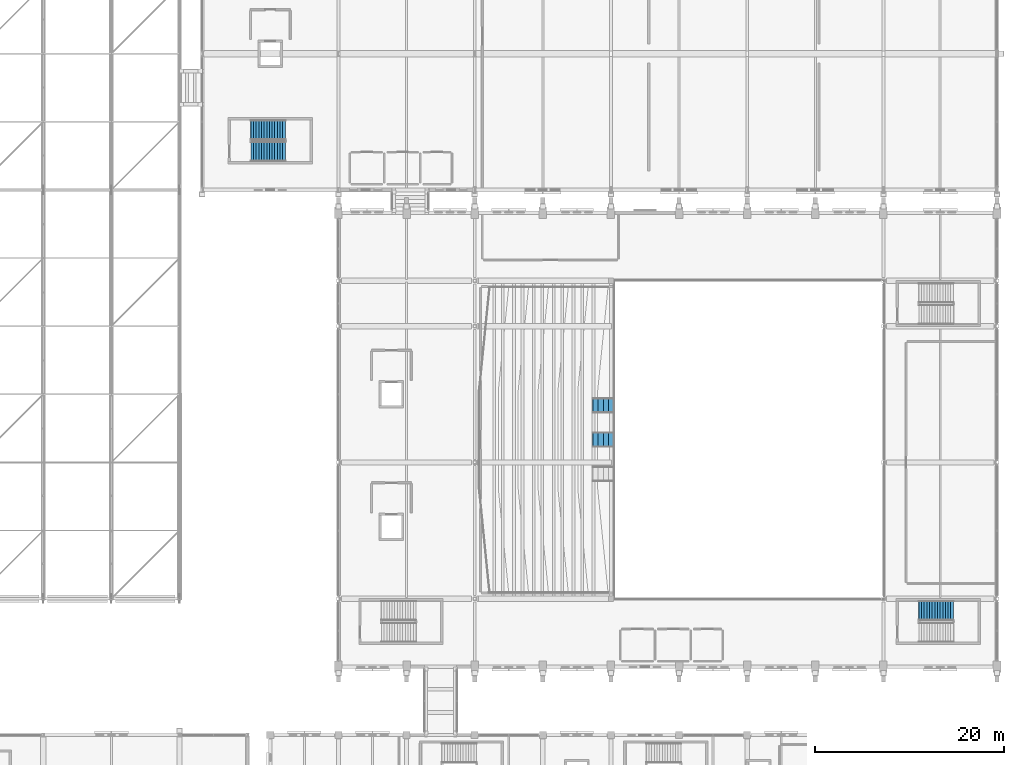
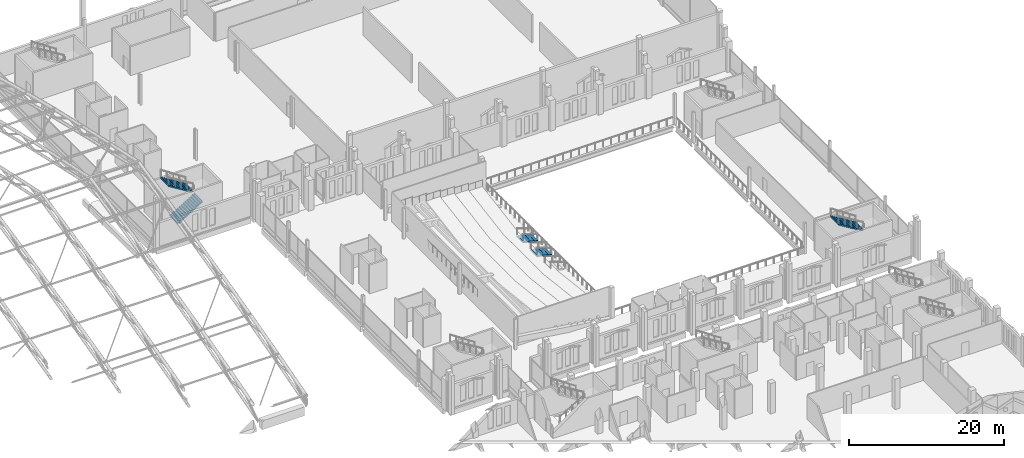
# One storey, part 169 of 193: 5 stair flights, 4 elements without a shape of their own.
"""IFC4 building model written with IfcOpenShell, lengths in metres."""

from ifc_helpers import new_model, si_unit, direction, frame, origin, place, context, subcontext, project, spatial, triangles, material, type_object, element, aggregate, save


model = new_model("IFC4")

# Units and contexts
model_context = context("Model", 3, precision=1e-05, world=origin(), true_north=direction((0.0, 1.0)))
body_context = subcontext(model_context, "Body", "Model", "MODEL_VIEW")
ifc_project = project(units=[si_unit("LENGTHUNIT", "METRE"), si_unit("AREAUNIT", "SQUARE_METRE"), si_unit("VOLUMEUNIT", "CUBIC_METRE"), si_unit("PLANEANGLEUNIT", "RADIAN"), si_unit("MASSUNIT", "GRAM", prefix="KILO")], contexts=[model_context])

# Site, building, storey
site_placement = place(None, origin())
site = spatial("IfcSite", under=ifc_project, at=site_placement, CompositionType="ELEMENT")
building_placement = place(site_placement, origin())
building = spatial("IfcBuilding", under=site, at=building_placement, Name="Cendralis Lancet Convention Centre", CompositionType="ELEMENT")
storey_placement = place(building_placement, frame((0.0, 0.0, 10.199951171875)))
storey = spatial("IfcBuildingStorey", under=building, at=storey_placement, Name="L02", CompositionType="ELEMENT", Elevation=10.199951171875)

# Stair, stair flights
ifc_material = material(Name="Concrete G35 (C35/45)", Category="concrete")
stair_type_1 = type_object("IfcStairType", Name="ARC-ST-CORE", PredefinedType="HALF_TURN_STAIR", material=ifc_material)
stair_1_placement = place(storey_placement, origin())
stair_1 = element("IfcStair", 1, at=stair_1_placement, inside=storey, type_object=stair_type_1, Name="L02 Protected Exit Stair ST-07", PredefinedType="HALF_TURN_STAIR")
stair_flight_type_1 = type_object("IfcStairFlightType", Name="ARC-SF-CORE", PredefinedType="STRAIGHT", material=ifc_material)
stair_flight_1_placement = place(storey_placement, frame((129.949951171875, 97.64990234375, 0.0), z_axis=(0.0, 0.0, 1.0), x_axis=(1.0, 0.0, 0.0)))
stair_flight_1 = element("IfcStairFlight", 2, at=stair_flight_1_placement, type_object=stair_flight_type_1, Name="ST-07 flight 1", NumberOfRisers=14, NumberOfTreads=13, PredefinedType="STRAIGHT", RiserHeight=0.171428571, TreadLength=0.28, context=body_context, shape_type="Tessellation", body=[
    triangles([(0.0, 0.0, 0.085714), (0.0, 1.050049, 0.0), (0.0, -1.050049, 0.0), (0.0, -1.050049, 0.171429), (0.0, 1.050049, 0.171429), (0.14, 0.0, 0.171429), (0.28, -1.050049, 0.171429), (0.28, 1.050049, 0.171429), (0.14, 0.0, 0.0), (0.28, -1.050049, 0.0), (0.28, 1.050049, 0.0), (0.28, 0.0, 0.257143), (0.28, -1.050049, 0.342857), (0.28, 1.050049, 0.342857), (0.283543, 0.0, 0.342857), (0.287085, -1.050049, 0.342857), (0.287085, 1.050049, 0.342857), (0.283543, 0.0, 0.0), (0.287085, -1.050049, 0.0), (0.287085, 1.050049, 0.0), (0.423543, 0.0, 0.342857), (0.56, -1.050049, 0.342857), (0.56, 1.050049, 0.342857), (0.423543, 0.0, 0.083545), (0.56, -1.050049, 0.167091), (0.56, 1.050049, 0.167091), (0.56, 0.0, 0.428572), (0.56, -1.050049, 0.514286), (0.56, 1.050049, 0.514286), (0.7, 0.0, 0.514286), (0.84, -1.050049, 0.514286), (0.84, 1.050049, 0.514286), (0.7, 0.0, 0.252806), (0.84, -1.050049, 0.33852), (0.84, 1.050049, 0.33852), (0.84, 0.0, 0.6), (0.84, -1.050049, 0.685714), (0.84, 1.050049, 0.685714), (0.98, 0.0, 0.685714), (1.12, -1.050049, 0.685714), (1.12, 1.050049, 0.685714), (0.98, 0.0, 0.424234), (1.12, -1.050049, 0.509948), (1.12, 1.050049, 0.509948), (1.12, 0.0, 0.771429), (1.12, -1.050049, 0.857143), (1.12, 1.050049, 0.857143), (1.26, 0.0, 0.857143), (1.4, -1.050049, 0.857143), (1.4, 1.050049, 0.857143), (1.26, 0.0, 0.595662), (1.4, -1.050049, 0.681377), (1.4, 1.050049, 0.681377), (1.4, 0.0, 0.942857), (1.4, -1.050049, 1.028571), (1.4, 1.050049, 1.028571), (1.54, 0.0, 1.028571), (1.68, -1.050049, 1.028571), (1.68, 1.050049, 1.028571), (1.54, 0.0, 0.767091), (1.68, -1.050049, 0.852805), (1.68, 1.050049, 0.852805), (1.68, 0.0, 1.114286), (1.68, -1.050049, 1.2), (1.68, 1.050049, 1.2), (1.82, 0.0, 1.2), (1.96, -1.050049, 1.2), (1.96, 1.050049, 1.2), (1.82, 0.0, 0.938519), (1.96, -1.050049, 1.024234), (1.96, 1.050049, 1.024234), (1.96, 0.0, 1.285715), (1.96, -1.050049, 1.371429), (1.96, 1.050049, 1.371429), (2.1, 0.0, 1.371429), (2.24, -1.050049, 1.371429), (2.24, 1.050049, 1.371429), (2.1, 0.0, 1.109948), (2.24, -1.050049, 1.195662), (2.24, 1.050049, 1.195662), (2.24, 0.0, 1.457143), (2.24, -1.050049, 1.542857), (2.24, 1.050049, 1.542857), (2.38, 0.0, 1.542857), (2.52, -1.050049, 1.542857), (2.52, 1.050049, 1.542857), (2.38, 0.0, 1.281376), (2.52, -1.050049, 1.367091), (2.52, 1.050049, 1.367091), (2.52, 0.0, 1.628572), (2.52, -1.050049, 1.714286), (2.52, 1.050049, 1.714286), (2.66, 0.0, 1.714286), (2.8, -1.050049, 1.714286), (2.8, 1.050049, 1.714286), (2.66, 0.0, 1.452806), (2.8, -1.050049, 1.53852), (2.8, 1.050049, 1.53852), (2.8, 0.0, 1.8), (2.8, -1.050049, 1.885714), (2.8, 1.050049, 1.885714), (2.94, 0.0, 1.885714), (3.08, -1.050049, 1.885714), (3.08, 1.050049, 1.885714), (2.94, 0.0, 1.624234), (3.08, -1.050049, 1.709948), (3.08, 1.050049, 1.709948), (3.08, 0.0, 1.971429), (3.08, -1.050049, 2.057143), (3.08, 1.050049, 2.057143), (3.22, 0.0, 2.057143), (3.36, -1.050049, 2.057143), (3.36, 1.050049, 2.057143), (3.22, 0.0, 1.795663), (3.36, -1.050049, 1.881377), (3.36, 1.050049, 1.881377), (3.36, 0.0, 2.142857), (3.36, -1.050049, 2.228571), (3.36, 1.050049, 2.228571), (3.5, 0.0, 2.228571), (3.64, -1.050049, 2.228571), (3.64, 1.050049, 2.228571), (3.5, 0.0, 1.967091), (3.64, -1.050049, 2.052805), (3.64, 1.050049, 2.052805), (3.64, 0.0, 2.314285), (3.64, -1.050049, 2.4), (3.64, 1.050049, 2.4), (3.66, 0.0, 2.4), (3.68, -1.050049, 2.4), (3.68, 1.050049, 2.4), (3.66, 0.0, 2.052805), (3.68, -1.050049, 2.052805), (3.68, 1.050049, 2.052805), (3.68, 0.0, 2.226403)], [[2, 3, 1], [3, 4, 1], [4, 5, 1], [5, 2, 1], [4, 7, 6], [7, 8, 6], [8, 5, 6], [5, 4, 6], [10, 3, 9], [3, 2, 9], [2, 11, 9], [11, 10, 9], [3, 10, 7], [3, 7, 4], [2, 8, 11], [2, 5, 8], [8, 7, 12], [7, 13, 12], [13, 14, 12], [14, 8, 12], [13, 16, 15], [16, 17, 15], [17, 14, 15], [14, 13, 15], [19, 10, 18], [10, 11, 18], [11, 20, 18], [20, 19, 18], [10, 19, 16], [10, 16, 7], [7, 16, 13], [11, 17, 20], [11, 8, 17], [8, 14, 17], [16, 22, 21], [22, 23, 21], [23, 17, 21], [17, 16, 21], [25, 19, 24], [19, 20, 24], [20, 26, 24], [26, 25, 24], [19, 25, 22], [19, 22, 16], [20, 23, 26], [20, 17, 23], [23, 22, 27], [22, 28, 27], [28, 29, 27], [29, 23, 27], [28, 31, 30], [31, 32, 30], [32, 29, 30], [29, 28, 30], [34, 25, 33], [25, 26, 33], [26, 35, 33], [35, 34, 33], [25, 34, 31], [25, 31, 22], [22, 31, 28], [26, 32, 35], [26, 23, 32], [23, 29, 32], [32, 31, 36], [31, 37, 36], [37, 38, 36], [38, 32, 36], [37, 40, 39], [40, 41, 39], [41, 38, 39], [38, 37, 39], [43, 34, 42], [34, 35, 42], [35, 44, 42], [44, 43, 42], [34, 43, 40], [34, 40, 31], [31, 40, 37], [35, 41, 44], [35, 32, 41], [32, 38, 41], [41, 40, 45], [40, 46, 45], [46, 47, 45], [47, 41, 45], [46, 49, 48], [49, 50, 48], [50, 47, 48], [47, 46, 48], [52, 43, 51], [43, 44, 51], [44, 53, 51], [53, 52, 51], [43, 52, 49], [43, 49, 40], [40, 49, 46], [44, 50, 53], [44, 41, 50], [41, 47, 50], [50, 49, 54], [49, 55, 54], [55, 56, 54], [56, 50, 54], [55, 58, 57], [58, 59, 57], [59, 56, 57], [56, 55, 57], [61, 52, 60], [52, 53, 60], [53, 62, 60], [62, 61, 60], [52, 61, 58], [52, 58, 49], [49, 58, 55], [53, 59, 62], [53, 50, 59], [50, 56, 59], [59, 58, 63], [58, 64, 63], [64, 65, 63], [65, 59, 63], [64, 67, 66], [67, 68, 66], [68, 65, 66], [65, 64, 66], [70, 61, 69], [61, 62, 69], [62, 71, 69], [71, 70, 69], [61, 70, 67], [61, 67, 58], [58, 67, 64], [62, 68, 71], [62, 59, 68], [59, 65, 68], [68, 67, 72], [67, 73, 72], [73, 74, 72], [74, 68, 72], [73, 76, 75], [76, 77, 75], [77, 74, 75], [74, 73, 75], [79, 70, 78], [70, 71, 78], [71, 80, 78], [80, 79, 78], [70, 79, 76], [70, 76, 67], [67, 76, 73], [71, 77, 80], [71, 68, 77], [68, 74, 77], [77, 76, 81], [76, 82, 81], [82, 83, 81], [83, 77, 81], [82, 85, 84], [85, 86, 84], [86, 83, 84], [83, 82, 84], [88, 79, 87], [79, 80, 87], [80, 89, 87], [89, 88, 87], [79, 88, 85], [79, 85, 76], [76, 85, 82], [80, 86, 89], [80, 77, 86], [77, 83, 86], [86, 85, 90], [85, 91, 90], [91, 92, 90], [92, 86, 90], [91, 94, 93], [94, 95, 93], [95, 92, 93], [92, 91, 93], [97, 88, 96], [88, 89, 96], [89, 98, 96], [98, 97, 96], [88, 97, 94], [88, 94, 85], [85, 94, 91], [89, 95, 98], [89, 86, 95], [86, 92, 95], [95, 94, 99], [94, 100, 99], [100, 101, 99], [101, 95, 99], [100, 103, 102], [103, 104, 102], [104, 101, 102], [101, 100, 102], [106, 97, 105], [97, 98, 105], [98, 107, 105], [107, 106, 105], [97, 106, 103], [97, 103, 94], [94, 103, 100], [98, 104, 107], [98, 95, 104], [95, 101, 104], [104, 103, 108], [103, 109, 108], [109, 110, 108], [110, 104, 108], [109, 112, 111], [112, 113, 111], [113, 110, 111], [110, 109, 111], [115, 106, 114], [106, 107, 114], [107, 116, 114], [116, 115, 114], [106, 115, 112], [106, 112, 103], [103, 112, 109], [107, 113, 116], [107, 104, 113], [104, 110, 113], [113, 112, 117], [112, 118, 117], [118, 119, 117], [119, 113, 117], [118, 121, 120], [121, 122, 120], [122, 119, 120], [119, 118, 120], [124, 115, 123], [115, 116, 123], [116, 125, 123], [125, 124, 123], [115, 124, 121], [115, 121, 112], [112, 121, 118], [116, 122, 125], [116, 113, 122], [113, 119, 122], [122, 121, 126], [121, 127, 126], [127, 128, 126], [128, 122, 126], [127, 130, 129], [130, 131, 129], [131, 128, 129], [128, 127, 129], [133, 124, 132], [124, 125, 132], [125, 134, 132], [134, 133, 132], [124, 133, 130], [124, 130, 121], [121, 130, 127], [125, 131, 134], [125, 122, 131], [122, 128, 131], [133, 134, 135], [134, 131, 135], [131, 130, 135], [130, 133, 135]], closed=True),
])
stair_flight_2_placement = place(storey_placement, frame((133.590087890625, 99.929931640625, 2.400146484375), z_axis=(0.0, 0.0, 1.0), x_axis=(-1.0, 0.0, 0.0)))
stair_flight_2 = element("IfcStairFlight", 3, at=stair_flight_2_placement, type_object=stair_flight_type_1, Name="ST-07 flight 2", NumberOfRisers=14, NumberOfTreads=13, PredefinedType="STRAIGHT", RiserHeight=0.171428571, TreadLength=0.28, context=body_context, shape_type="Tessellation", body=[
    triangles([(0.0, 0.0, 0.085714), (0.0, 1.050049, 0.0), (0.0, -1.050049, 0.0), (0.0, -1.050049, 0.171429), (0.0, 1.050049, 0.171429), (0.14, 0.0, 0.171429), (0.28, -1.050049, 0.171429), (0.28, 1.050049, 0.171429), (0.14, 0.0, 0.0), (0.28, -1.050049, 0.0), (0.28, 1.050049, 0.0), (0.28, 0.0, 0.257143), (0.28, -1.050049, 0.342857), (0.28, 1.050049, 0.342857), (0.283543, 0.0, 0.342857), (0.287085, -1.050049, 0.342857), (0.287085, 1.050049, 0.342857), (0.283543, 0.0, 0.0), (0.287085, -1.050049, 0.0), (0.287085, 1.050049, 0.0), (0.423543, 0.0, 0.342857), (0.56, -1.050049, 0.342857), (0.56, 1.050049, 0.342857), (0.423543, 0.0, 0.083545), (0.56, -1.050049, 0.167091), (0.56, 1.050049, 0.167091), (0.56, 0.0, 0.428572), (0.56, -1.050049, 0.514286), (0.56, 1.050049, 0.514286), (0.7, 0.0, 0.514286), (0.84, -1.050049, 0.514286), (0.84, 1.050049, 0.514286), (0.7, 0.0, 0.252806), (0.84, -1.050049, 0.33852), (0.84, 1.050049, 0.33852), (0.84, 0.0, 0.6), (0.84, -1.050049, 0.685714), (0.84, 1.050049, 0.685714), (0.98, 0.0, 0.685714), (1.12, -1.050049, 0.685714), (1.12, 1.050049, 0.685714), (0.98, 0.0, 0.424234), (1.12, -1.050049, 0.509948), (1.12, 1.050049, 0.509948), (1.12, 0.0, 0.771429), (1.12, -1.050049, 0.857143), (1.12, 1.050049, 0.857143), (1.26, 0.0, 0.857143), (1.4, -1.050049, 0.857143), (1.4, 1.050049, 0.857143), (1.26, 0.0, 0.595662), (1.4, -1.050049, 0.681377), (1.4, 1.050049, 0.681377), (1.4, 0.0, 0.942857), (1.4, -1.050049, 1.028571), (1.4, 1.050049, 1.028571), (1.54, 0.0, 1.028571), (1.68, -1.050049, 1.028571), (1.68, 1.050049, 1.028571), (1.54, 0.0, 0.767091), (1.68, -1.050049, 0.852805), (1.68, 1.050049, 0.852805), (1.68, 0.0, 1.114286), (1.68, -1.050049, 1.2), (1.68, 1.050049, 1.2), (1.82, 0.0, 1.2), (1.96, -1.050049, 1.2), (1.96, 1.050049, 1.2), (1.82, 0.0, 0.938519), (1.96, -1.050049, 1.024234), (1.96, 1.050049, 1.024234), (1.96, 0.0, 1.285715), (1.96, -1.050049, 1.371429), (1.96, 1.050049, 1.371429), (2.1, 0.0, 1.371429), (2.24, -1.050049, 1.371429), (2.24, 1.050049, 1.371429), (2.1, 0.0, 1.109948), (2.24, -1.050049, 1.195662), (2.24, 1.050049, 1.195662), (2.24, 0.0, 1.457143), (2.24, -1.050049, 1.542857), (2.24, 1.050049, 1.542857), (2.38, 0.0, 1.542857), (2.52, -1.050049, 1.542857), (2.52, 1.050049, 1.542857), (2.38, 0.0, 1.281376), (2.52, -1.050049, 1.367091), (2.52, 1.050049, 1.367091), (2.52, 0.0, 1.628572), (2.52, -1.050049, 1.714286), (2.52, 1.050049, 1.714286), (2.66, 0.0, 1.714286), (2.8, -1.050049, 1.714286), (2.8, 1.050049, 1.714286), (2.66, 0.0, 1.452806), (2.8, -1.050049, 1.53852), (2.8, 1.050049, 1.53852), (2.8, 0.0, 1.8), (2.8, -1.050049, 1.885714), (2.8, 1.050049, 1.885714), (2.94, 0.0, 1.885714), (3.08, -1.050049, 1.885714), (3.08, 1.050049, 1.885714), (2.94, 0.0, 1.624234), (3.08, -1.050049, 1.709948), (3.08, 1.050049, 1.709948), (3.08, 0.0, 1.971429), (3.08, -1.050049, 2.057143), (3.08, 1.050049, 2.057143), (3.22, 0.0, 2.057143), (3.36, -1.050049, 2.057143), (3.36, 1.050049, 2.057143), (3.22, 0.0, 1.795663), (3.36, -1.050049, 1.881377), (3.36, 1.050049, 1.881377), (3.36, 0.0, 2.142857), (3.36, -1.050049, 2.228571), (3.36, 1.050049, 2.228571), (3.5, 0.0, 2.228571), (3.64, -1.050049, 2.228571), (3.64, 1.050049, 2.228571), (3.5, 0.0, 1.967091), (3.64, -1.050049, 2.052805), (3.64, 1.050049, 2.052805), (3.64, 0.0, 2.314285), (3.64, -1.050049, 2.4), (3.64, 1.050049, 2.4), (3.66, 0.0, 2.4), (3.68, -1.050049, 2.4), (3.68, 1.050049, 2.4), (3.66, 0.0, 2.052805), (3.68, -1.050049, 2.052805), (3.68, 1.050049, 2.052805), (3.68, 0.0, 2.226403)], [[2, 3, 1], [3, 4, 1], [4, 5, 1], [5, 2, 1], [4, 7, 6], [7, 8, 6], [8, 5, 6], [5, 4, 6], [10, 3, 9], [3, 2, 9], [2, 11, 9], [11, 10, 9], [3, 10, 7], [3, 7, 4], [2, 8, 11], [2, 5, 8], [8, 7, 12], [7, 13, 12], [13, 14, 12], [14, 8, 12], [13, 16, 15], [16, 17, 15], [17, 14, 15], [14, 13, 15], [19, 10, 18], [10, 11, 18], [11, 20, 18], [20, 19, 18], [10, 19, 16], [10, 16, 7], [7, 16, 13], [11, 17, 20], [11, 8, 17], [8, 14, 17], [16, 22, 21], [22, 23, 21], [23, 17, 21], [17, 16, 21], [25, 19, 24], [19, 20, 24], [20, 26, 24], [26, 25, 24], [19, 25, 22], [19, 22, 16], [20, 23, 26], [20, 17, 23], [23, 22, 27], [22, 28, 27], [28, 29, 27], [29, 23, 27], [28, 31, 30], [31, 32, 30], [32, 29, 30], [29, 28, 30], [34, 25, 33], [25, 26, 33], [26, 35, 33], [35, 34, 33], [25, 34, 31], [25, 31, 22], [22, 31, 28], [26, 32, 35], [26, 23, 32], [23, 29, 32], [32, 31, 36], [31, 37, 36], [37, 38, 36], [38, 32, 36], [37, 40, 39], [40, 41, 39], [41, 38, 39], [38, 37, 39], [43, 34, 42], [34, 35, 42], [35, 44, 42], [44, 43, 42], [34, 43, 40], [34, 40, 31], [31, 40, 37], [35, 41, 44], [35, 32, 41], [32, 38, 41], [41, 40, 45], [40, 46, 45], [46, 47, 45], [47, 41, 45], [46, 49, 48], [49, 50, 48], [50, 47, 48], [47, 46, 48], [52, 43, 51], [43, 44, 51], [44, 53, 51], [53, 52, 51], [43, 52, 49], [43, 49, 40], [40, 49, 46], [44, 50, 53], [44, 41, 50], [41, 47, 50], [50, 49, 54], [49, 55, 54], [55, 56, 54], [56, 50, 54], [55, 58, 57], [58, 59, 57], [59, 56, 57], [56, 55, 57], [61, 52, 60], [52, 53, 60], [53, 62, 60], [62, 61, 60], [52, 61, 58], [52, 58, 49], [49, 58, 55], [53, 59, 62], [53, 50, 59], [50, 56, 59], [59, 58, 63], [58, 64, 63], [64, 65, 63], [65, 59, 63], [64, 67, 66], [67, 68, 66], [68, 65, 66], [65, 64, 66], [70, 61, 69], [61, 62, 69], [62, 71, 69], [71, 70, 69], [61, 70, 67], [61, 67, 58], [58, 67, 64], [62, 68, 71], [62, 59, 68], [59, 65, 68], [68, 67, 72], [67, 73, 72], [73, 74, 72], [74, 68, 72], [73, 76, 75], [76, 77, 75], [77, 74, 75], [74, 73, 75], [79, 70, 78], [70, 71, 78], [71, 80, 78], [80, 79, 78], [70, 79, 76], [70, 76, 67], [67, 76, 73], [71, 77, 80], [71, 68, 77], [68, 74, 77], [77, 76, 81], [76, 82, 81], [82, 83, 81], [83, 77, 81], [82, 85, 84], [85, 86, 84], [86, 83, 84], [83, 82, 84], [88, 79, 87], [79, 80, 87], [80, 89, 87], [89, 88, 87], [79, 88, 85], [79, 85, 76], [76, 85, 82], [80, 86, 89], [80, 77, 86], [77, 83, 86], [86, 85, 90], [85, 91, 90], [91, 92, 90], [92, 86, 90], [91, 94, 93], [94, 95, 93], [95, 92, 93], [92, 91, 93], [97, 88, 96], [88, 89, 96], [89, 98, 96], [98, 97, 96], [88, 97, 94], [88, 94, 85], [85, 94, 91], [89, 95, 98], [89, 86, 95], [86, 92, 95], [95, 94, 99], [94, 100, 99], [100, 101, 99], [101, 95, 99], [100, 103, 102], [103, 104, 102], [104, 101, 102], [101, 100, 102], [106, 97, 105], [97, 98, 105], [98, 107, 105], [107, 106, 105], [97, 106, 103], [97, 103, 94], [94, 103, 100], [98, 104, 107], [98, 95, 104], [95, 101, 104], [104, 103, 108], [103, 109, 108], [109, 110, 108], [110, 104, 108], [109, 112, 111], [112, 113, 111], [113, 110, 111], [110, 109, 111], [115, 106, 114], [106, 107, 114], [107, 116, 114], [116, 115, 114], [106, 115, 112], [106, 112, 103], [103, 112, 109], [107, 113, 116], [107, 104, 113], [104, 110, 113], [113, 112, 117], [112, 118, 117], [118, 119, 117], [119, 113, 117], [118, 121, 120], [121, 122, 120], [122, 119, 120], [119, 118, 120], [124, 115, 123], [115, 116, 123], [116, 125, 123], [125, 124, 123], [115, 124, 121], [115, 121, 112], [112, 121, 118], [116, 122, 125], [116, 113, 122], [113, 119, 122], [122, 121, 126], [121, 127, 126], [127, 128, 126], [128, 122, 126], [127, 130, 129], [130, 131, 129], [131, 128, 129], [128, 127, 129], [133, 124, 132], [124, 125, 132], [125, 134, 132], [134, 133, 132], [124, 133, 130], [124, 130, 121], [121, 130, 127], [125, 131, 134], [125, 122, 131], [122, 128, 131], [133, 134, 135], [134, 131, 135], [131, 130, 135], [130, 133, 135]], closed=True),
])
aggregate(stair_1, [stair_flight_1, stair_flight_2])

# Stair, stair flight
stair_2_placement = place(storey_placement, origin())
stair_2 = element("IfcStair", 4, at=stair_2_placement, inside=storey, type_object=stair_type_1, Name="L02 Protected Exit Stair ST-09", PredefinedType="HALF_TURN_STAIR")
stair_flight_3_placement = place(storey_placement, frame((204.18994140625, 49.1298828125, 2.400146484375), z_axis=(0.0, 0.0, 1.0), x_axis=(-1.0, 0.0, 0.0)))
stair_flight_3 = element("IfcStairFlight", 5, at=stair_flight_3_placement, type_object=stair_flight_type_1, Name="ST-09 flight 2", NumberOfRisers=14, NumberOfTreads=13, PredefinedType="STRAIGHT", RiserHeight=0.171428571, TreadLength=0.28, context=body_context, shape_type="Tessellation", body=[
    triangles([(0.0, 0.0, 0.085714), (0.0, 1.050049, 0.0), (0.0, -1.050049, 0.0), (0.0, -1.050049, 0.171429), (0.0, 1.050049, 0.171429), (0.14, 0.0, 0.171429), (0.28, -1.050049, 0.171429), (0.28, 1.050049, 0.171429), (0.14, 0.0, 0.0), (0.28, -1.050049, 0.0), (0.28, 1.050049, 0.0), (0.28, 0.0, 0.257143), (0.28, -1.050049, 0.342857), (0.28, 1.050049, 0.342857), (0.283543, 0.0, 0.342857), (0.287085, -1.050049, 0.342857), (0.287085, 1.050049, 0.342857), (0.283543, 0.0, 0.0), (0.287085, -1.050049, 0.0), (0.287085, 1.050049, 0.0), (0.423543, 0.0, 0.342857), (0.56, -1.050049, 0.342857), (0.56, 1.050049, 0.342857), (0.423543, 0.0, 0.083545), (0.56, -1.050049, 0.167091), (0.56, 1.050049, 0.167091), (0.56, 0.0, 0.428572), (0.56, -1.050049, 0.514286), (0.56, 1.050049, 0.514286), (0.7, 0.0, 0.514286), (0.84, -1.050049, 0.514286), (0.84, 1.050049, 0.514286), (0.7, 0.0, 0.252806), (0.84, -1.050049, 0.33852), (0.84, 1.050049, 0.33852), (0.84, 0.0, 0.6), (0.84, -1.050049, 0.685714), (0.84, 1.050049, 0.685714), (0.98, 0.0, 0.685714), (1.12, -1.050049, 0.685714), (1.12, 1.050049, 0.685714), (0.98, 0.0, 0.424234), (1.12, -1.050049, 0.509948), (1.12, 1.050049, 0.509948), (1.12, 0.0, 0.771429), (1.12, -1.050049, 0.857143), (1.12, 1.050049, 0.857143), (1.26, 0.0, 0.857143), (1.4, -1.050049, 0.857143), (1.4, 1.050049, 0.857143), (1.26, 0.0, 0.595662), (1.4, -1.050049, 0.681377), (1.4, 1.050049, 0.681377), (1.4, 0.0, 0.942857), (1.4, -1.050049, 1.028571), (1.4, 1.050049, 1.028571), (1.54, 0.0, 1.028571), (1.68, -1.050049, 1.028571), (1.68, 1.050049, 1.028571), (1.54, 0.0, 0.767091), (1.68, -1.050049, 0.852805), (1.68, 1.050049, 0.852805), (1.68, 0.0, 1.114286), (1.68, -1.050049, 1.2), (1.68, 1.050049, 1.2), (1.82, 0.0, 1.2), (1.96, -1.050049, 1.2), (1.96, 1.050049, 1.2), (1.82, 0.0, 0.938519), (1.96, -1.050049, 1.024234), (1.96, 1.050049, 1.024234), (1.96, 0.0, 1.285715), (1.96, -1.050049, 1.371429), (1.96, 1.050049, 1.371429), (2.1, 0.0, 1.371429), (2.24, -1.050049, 1.371429), (2.24, 1.050049, 1.371429), (2.1, 0.0, 1.109948), (2.24, -1.050049, 1.195662), (2.24, 1.050049, 1.195662), (2.24, 0.0, 1.457143), (2.24, -1.050049, 1.542857), (2.24, 1.050049, 1.542857), (2.38, 0.0, 1.542857), (2.52, -1.050049, 1.542857), (2.52, 1.050049, 1.542857), (2.38, 0.0, 1.281376), (2.52, -1.050049, 1.367091), (2.52, 1.050049, 1.367091), (2.52, 0.0, 1.628572), (2.52, -1.050049, 1.714286), (2.52, 1.050049, 1.714286), (2.66, 0.0, 1.714286), (2.8, -1.050049, 1.714286), (2.8, 1.050049, 1.714286), (2.66, 0.0, 1.452806), (2.8, -1.050049, 1.53852), (2.8, 1.050049, 1.53852), (2.8, 0.0, 1.8), (2.8, -1.050049, 1.885714), (2.8, 1.050049, 1.885714), (2.94, 0.0, 1.885714), (3.08, -1.050049, 1.885714), (3.08, 1.050049, 1.885714), (2.94, 0.0, 1.624234), (3.08, -1.050049, 1.709948), (3.08, 1.050049, 1.709948), (3.08, 0.0, 1.971429), (3.08, -1.050049, 2.057143), (3.08, 1.050049, 2.057143), (3.22, 0.0, 2.057143), (3.36, -1.050049, 2.057143), (3.36, 1.050049, 2.057143), (3.22, 0.0, 1.795663), (3.36, -1.050049, 1.881377), (3.36, 1.050049, 1.881377), (3.36, 0.0, 2.142857), (3.36, -1.050049, 2.228571), (3.36, 1.050049, 2.228571), (3.5, 0.0, 2.228571), (3.64, -1.050049, 2.228571), (3.64, 1.050049, 2.228571), (3.5, 0.0, 1.967091), (3.64, -1.050049, 2.052805), (3.64, 1.050049, 2.052805), (3.64, 0.0, 2.314285), (3.64, -1.050049, 2.4), (3.64, 1.050049, 2.4), (3.66, 0.0, 2.4), (3.68, -1.050049, 2.4), (3.68, 1.050049, 2.4), (3.66, 0.0, 2.052805), (3.68, -1.050049, 2.052805), (3.68, 1.050049, 2.052805), (3.68, 0.0, 2.226403)], [[2, 3, 1], [3, 4, 1], [4, 5, 1], [5, 2, 1], [4, 7, 6], [7, 8, 6], [8, 5, 6], [5, 4, 6], [10, 3, 9], [3, 2, 9], [2, 11, 9], [11, 10, 9], [3, 10, 7], [3, 7, 4], [2, 8, 11], [2, 5, 8], [8, 7, 12], [7, 13, 12], [13, 14, 12], [14, 8, 12], [13, 16, 15], [16, 17, 15], [17, 14, 15], [14, 13, 15], [19, 10, 18], [10, 11, 18], [11, 20, 18], [20, 19, 18], [10, 19, 16], [10, 16, 7], [7, 16, 13], [11, 17, 20], [11, 8, 17], [8, 14, 17], [16, 22, 21], [22, 23, 21], [23, 17, 21], [17, 16, 21], [25, 19, 24], [19, 20, 24], [20, 26, 24], [26, 25, 24], [19, 25, 22], [19, 22, 16], [20, 23, 26], [20, 17, 23], [23, 22, 27], [22, 28, 27], [28, 29, 27], [29, 23, 27], [28, 31, 30], [31, 32, 30], [32, 29, 30], [29, 28, 30], [34, 25, 33], [25, 26, 33], [26, 35, 33], [35, 34, 33], [25, 34, 31], [25, 31, 22], [22, 31, 28], [26, 32, 35], [26, 23, 32], [23, 29, 32], [32, 31, 36], [31, 37, 36], [37, 38, 36], [38, 32, 36], [37, 40, 39], [40, 41, 39], [41, 38, 39], [38, 37, 39], [43, 34, 42], [34, 35, 42], [35, 44, 42], [44, 43, 42], [34, 43, 40], [34, 40, 31], [31, 40, 37], [35, 41, 44], [35, 32, 41], [32, 38, 41], [41, 40, 45], [40, 46, 45], [46, 47, 45], [47, 41, 45], [46, 49, 48], [49, 50, 48], [50, 47, 48], [47, 46, 48], [52, 43, 51], [43, 44, 51], [44, 53, 51], [53, 52, 51], [43, 52, 49], [43, 49, 40], [40, 49, 46], [44, 50, 53], [44, 41, 50], [41, 47, 50], [50, 49, 54], [49, 55, 54], [55, 56, 54], [56, 50, 54], [55, 58, 57], [58, 59, 57], [59, 56, 57], [56, 55, 57], [61, 52, 60], [52, 53, 60], [53, 62, 60], [62, 61, 60], [52, 61, 58], [52, 58, 49], [49, 58, 55], [53, 59, 62], [53, 50, 59], [50, 56, 59], [59, 58, 63], [58, 64, 63], [64, 65, 63], [65, 59, 63], [64, 67, 66], [67, 68, 66], [68, 65, 66], [65, 64, 66], [70, 61, 69], [61, 62, 69], [62, 71, 69], [71, 70, 69], [61, 70, 67], [61, 67, 58], [58, 67, 64], [62, 68, 71], [62, 59, 68], [59, 65, 68], [68, 67, 72], [67, 73, 72], [73, 74, 72], [74, 68, 72], [73, 76, 75], [76, 77, 75], [77, 74, 75], [74, 73, 75], [79, 70, 78], [70, 71, 78], [71, 80, 78], [80, 79, 78], [70, 79, 76], [70, 76, 67], [67, 76, 73], [71, 77, 80], [71, 68, 77], [68, 74, 77], [77, 76, 81], [76, 82, 81], [82, 83, 81], [83, 77, 81], [82, 85, 84], [85, 86, 84], [86, 83, 84], [83, 82, 84], [88, 79, 87], [79, 80, 87], [80, 89, 87], [89, 88, 87], [79, 88, 85], [79, 85, 76], [76, 85, 82], [80, 86, 89], [80, 77, 86], [77, 83, 86], [86, 85, 90], [85, 91, 90], [91, 92, 90], [92, 86, 90], [91, 94, 93], [94, 95, 93], [95, 92, 93], [92, 91, 93], [97, 88, 96], [88, 89, 96], [89, 98, 96], [98, 97, 96], [88, 97, 94], [88, 94, 85], [85, 94, 91], [89, 95, 98], [89, 86, 95], [86, 92, 95], [95, 94, 99], [94, 100, 99], [100, 101, 99], [101, 95, 99], [100, 103, 102], [103, 104, 102], [104, 101, 102], [101, 100, 102], [106, 97, 105], [97, 98, 105], [98, 107, 105], [107, 106, 105], [97, 106, 103], [97, 103, 94], [94, 103, 100], [98, 104, 107], [98, 95, 104], [95, 101, 104], [104, 103, 108], [103, 109, 108], [109, 110, 108], [110, 104, 108], [109, 112, 111], [112, 113, 111], [113, 110, 111], [110, 109, 111], [115, 106, 114], [106, 107, 114], [107, 116, 114], [116, 115, 114], [106, 115, 112], [106, 112, 103], [103, 112, 109], [107, 113, 116], [107, 104, 113], [104, 110, 113], [113, 112, 117], [112, 118, 117], [118, 119, 117], [119, 113, 117], [118, 121, 120], [121, 122, 120], [122, 119, 120], [119, 118, 120], [124, 115, 123], [115, 116, 123], [116, 125, 123], [125, 124, 123], [115, 124, 121], [115, 121, 112], [112, 121, 118], [116, 122, 125], [116, 113, 122], [113, 119, 122], [122, 121, 126], [121, 127, 126], [127, 128, 126], [128, 122, 126], [127, 130, 129], [130, 131, 129], [131, 128, 129], [128, 127, 129], [133, 124, 132], [124, 125, 132], [125, 134, 132], [134, 133, 132], [124, 133, 130], [124, 130, 121], [121, 130, 127], [125, 131, 134], [125, 122, 131], [122, 128, 131], [133, 134, 135], [134, 131, 135], [131, 130, 135], [130, 133, 135]], closed=True),
])
aggregate(stair_2, [stair_flight_3])

stair_type_2 = type_object("IfcStairType", Name="ARC-ST-VOM", PredefinedType="STRAIGHT_RUN_STAIR", material=ifc_material)
stair_3_placement = place(storey_placement, origin())
stair_3 = element("IfcStair", 6, at=stair_3_placement, inside=storey, type_object=stair_type_2, Name="Plenary Balcony Vomitory Gangway Stair VS-05", PredefinedType="STRAIGHT_RUN_STAIR")
stair_flight_type_2 = type_object("IfcStairFlightType", Name="ARC-SF-VOM", PredefinedType="STRAIGHT", material=ifc_material)
stair_flight_4_placement = place(storey_placement, frame((168.300048828125, 67.199951171875, 0.0), z_axis=(0.0, 0.0, 1.0), x_axis=(-1.0, 0.0, 0.0)))
stair_flight_4 = element("IfcStairFlight", 7, at=stair_flight_4_placement, type_object=stair_flight_type_2, Name="Plenary Balcony Vomitory Gangway Stair VS-05 Flight", NumberOfRisers=5, NumberOfTreads=4, PredefinedType="STRAIGHT", RiserHeight=0.15, TreadLength=0.55, context=body_context, shape_type="Tessellation", body=[
    triangles([(0.0, 0.0, 0.075), (0.0, 0.800049, 0.0), (0.0, -0.800049, 0.0), (0.0, -0.800049, 0.15), (0.0, 0.800049, 0.15), (0.275, 0.0, 0.15), (0.55, -0.800049, 0.15), (0.55, 0.800049, 0.15), (0.275, 0.0, 0.0), (0.55, -0.800049, 0.0), (0.55, 0.800049, 0.0), (0.55, 0.0, 0.225), (0.55, -0.800049, 0.3), (0.55, 0.800049, 0.3), (0.559859, 0.0, 0.3), (0.569717, -0.800049, 0.3), (0.569717, 0.800049, 0.3), (0.559859, 0.0, 0.0), (0.569717, -0.800049, 0.0), (0.569717, 0.800049, 0.0), (0.834858, 0.0, 0.3), (1.1, -0.800049, 0.3), (1.1, 0.800049, 0.3), (0.834859, 0.0, 0.072312), (1.1, -0.800049, 0.144623), (1.1, 0.800049, 0.144623), (1.1, 0.0, 0.375), (1.1, -0.800049, 0.45), (1.1, 0.800049, 0.45), (1.375, 0.0, 0.45), (1.65, -0.800049, 0.45), (1.65, 0.800049, 0.45), (1.375, 0.0, 0.219623), (1.65, -0.800049, 0.294623), (1.65, 0.800049, 0.294623), (1.65, 0.0, 0.525), (1.65, -0.800049, 0.6), (1.65, 0.800049, 0.6), (1.925, 0.0, 0.6), (2.2, -0.800049, 0.6), (2.2, 0.800049, 0.6), (1.925, 0.0, 0.369623), (2.2, -0.800049, 0.444623), (2.2, 0.800049, 0.444623), (2.2, 0.0, 0.675), (2.2, -0.800049, 0.75), (2.2, 0.800049, 0.75), (2.22, 0.0, 0.75), (2.24, -0.800049, 0.75), (2.24, 0.800049, 0.75), (2.22, 0.0, 0.444623), (2.24, -0.800049, 0.444623), (2.24, 0.800049, 0.444623), (2.24, 0.0, 0.597311)], [[2, 3, 1], [3, 4, 1], [4, 5, 1], [5, 2, 1], [4, 7, 6], [7, 8, 6], [8, 5, 6], [5, 4, 6], [10, 3, 9], [3, 2, 9], [2, 11, 9], [11, 10, 9], [3, 10, 7], [3, 7, 4], [2, 8, 11], [2, 5, 8], [8, 7, 12], [7, 13, 12], [13, 14, 12], [14, 8, 12], [13, 16, 15], [16, 17, 15], [17, 14, 15], [14, 13, 15], [19, 10, 18], [10, 11, 18], [11, 20, 18], [20, 19, 18], [10, 19, 16], [10, 16, 7], [7, 16, 13], [11, 17, 20], [11, 8, 17], [8, 14, 17], [16, 22, 21], [22, 23, 21], [23, 17, 21], [17, 16, 21], [25, 19, 24], [19, 20, 24], [20, 26, 24], [26, 25, 24], [19, 25, 22], [19, 22, 16], [20, 23, 26], [20, 17, 23], [23, 22, 27], [22, 28, 27], [28, 29, 27], [29, 23, 27], [28, 31, 30], [31, 32, 30], [32, 29, 30], [29, 28, 30], [34, 25, 33], [25, 26, 33], [26, 35, 33], [35, 34, 33], [25, 34, 31], [25, 31, 22], [22, 31, 28], [26, 32, 35], [26, 23, 32], [23, 29, 32], [32, 31, 36], [31, 37, 36], [37, 38, 36], [38, 32, 36], [37, 40, 39], [40, 41, 39], [41, 38, 39], [38, 37, 39], [43, 34, 42], [34, 35, 42], [35, 44, 42], [44, 43, 42], [34, 43, 40], [34, 40, 31], [31, 40, 37], [35, 41, 44], [35, 32, 41], [32, 38, 41], [41, 40, 45], [40, 46, 45], [46, 47, 45], [47, 41, 45], [46, 49, 48], [49, 50, 48], [50, 47, 48], [47, 46, 48], [52, 43, 51], [43, 44, 51], [44, 53, 51], [53, 52, 51], [43, 52, 49], [43, 49, 40], [40, 49, 46], [44, 50, 53], [44, 41, 50], [41, 47, 50], [52, 53, 54], [53, 50, 54], [50, 49, 54], [49, 52, 54]], closed=True),
])
aggregate(stair_3, [stair_flight_4])

stair_4_placement = place(storey_placement, origin())
stair_4 = element("IfcStair", 8, at=stair_4_placement, inside=storey, type_object=stair_type_2, Name="Plenary Balcony Vomitory Gangway Stair VS-06", PredefinedType="STRAIGHT_RUN_STAIR")
stair_flight_5_placement = place(storey_placement, frame((168.300048828125, 70.800048828125, 0.0), z_axis=(0.0, 0.0, 1.0), x_axis=(-1.0, 0.0, 0.0)))
stair_flight_5 = element("IfcStairFlight", 9, at=stair_flight_5_placement, type_object=stair_flight_type_2, Name="Plenary Balcony Vomitory Gangway Stair VS-06 Flight", NumberOfRisers=5, NumberOfTreads=4, PredefinedType="STRAIGHT", RiserHeight=0.15, TreadLength=0.55, context=body_context, shape_type="Tessellation", body=[
    triangles([(0.0, 0.0, 0.075), (0.0, 0.800049, 0.0), (0.0, -0.800049, 0.0), (0.0, -0.800049, 0.15), (0.0, 0.800049, 0.15), (0.275, 0.0, 0.15), (0.55, -0.800049, 0.15), (0.55, 0.800049, 0.15), (0.275, 0.0, 0.0), (0.55, -0.800049, 0.0), (0.55, 0.800049, 0.0), (0.55, 0.0, 0.225), (0.55, -0.800049, 0.3), (0.55, 0.800049, 0.3), (0.559859, 0.0, 0.3), (0.569717, -0.800049, 0.3), (0.569717, 0.800049, 0.3), (0.559859, 0.0, 0.0), (0.569717, -0.800049, 0.0), (0.569717, 0.800049, 0.0), (0.834858, 0.0, 0.3), (1.1, -0.800049, 0.3), (1.1, 0.800049, 0.3), (0.834859, 0.0, 0.072312), (1.1, -0.800049, 0.144623), (1.1, 0.800049, 0.144623), (1.1, 0.0, 0.375), (1.1, -0.800049, 0.45), (1.1, 0.800049, 0.45), (1.375, 0.0, 0.45), (1.65, -0.800049, 0.45), (1.65, 0.800049, 0.45), (1.375, 0.0, 0.219623), (1.65, -0.800049, 0.294623), (1.65, 0.800049, 0.294623), (1.65, 0.0, 0.525), (1.65, -0.800049, 0.6), (1.65, 0.800049, 0.6), (1.925, 0.0, 0.6), (2.2, -0.800049, 0.6), (2.2, 0.800049, 0.6), (1.925, 0.0, 0.369623), (2.2, -0.800049, 0.444623), (2.2, 0.800049, 0.444623), (2.2, 0.0, 0.675), (2.2, -0.800049, 0.75), (2.2, 0.800049, 0.75), (2.22, 0.0, 0.75), (2.24, -0.800049, 0.75), (2.24, 0.800049, 0.75), (2.22, 0.0, 0.444623), (2.24, -0.800049, 0.444623), (2.24, 0.800049, 0.444623), (2.24, 0.0, 0.597311)], [[2, 3, 1], [3, 4, 1], [4, 5, 1], [5, 2, 1], [4, 7, 6], [7, 8, 6], [8, 5, 6], [5, 4, 6], [10, 3, 9], [3, 2, 9], [2, 11, 9], [11, 10, 9], [3, 10, 7], [3, 7, 4], [2, 8, 11], [2, 5, 8], [8, 7, 12], [7, 13, 12], [13, 14, 12], [14, 8, 12], [13, 16, 15], [16, 17, 15], [17, 14, 15], [14, 13, 15], [19, 10, 18], [10, 11, 18], [11, 20, 18], [20, 19, 18], [10, 19, 16], [10, 16, 7], [7, 16, 13], [11, 17, 20], [11, 8, 17], [8, 14, 17], [16, 22, 21], [22, 23, 21], [23, 17, 21], [17, 16, 21], [25, 19, 24], [19, 20, 24], [20, 26, 24], [26, 25, 24], [19, 25, 22], [19, 22, 16], [20, 23, 26], [20, 17, 23], [23, 22, 27], [22, 28, 27], [28, 29, 27], [29, 23, 27], [28, 31, 30], [31, 32, 30], [32, 29, 30], [29, 28, 30], [34, 25, 33], [25, 26, 33], [26, 35, 33], [35, 34, 33], [25, 34, 31], [25, 31, 22], [22, 31, 28], [26, 32, 35], [26, 23, 32], [23, 29, 32], [32, 31, 36], [31, 37, 36], [37, 38, 36], [38, 32, 36], [37, 40, 39], [40, 41, 39], [41, 38, 39], [38, 37, 39], [43, 34, 42], [34, 35, 42], [35, 44, 42], [44, 43, 42], [34, 43, 40], [34, 40, 31], [31, 40, 37], [35, 41, 44], [35, 32, 41], [32, 38, 41], [41, 40, 45], [40, 46, 45], [46, 47, 45], [47, 41, 45], [46, 49, 48], [49, 50, 48], [50, 47, 48], [47, 46, 48], [52, 43, 51], [43, 44, 51], [44, 53, 51], [53, 52, 51], [43, 52, 49], [43, 49, 40], [40, 49, 46], [44, 50, 53], [44, 41, 50], [41, 47, 50], [52, 53, 54], [53, 50, 54], [50, 49, 54], [49, 52, 54]], closed=True),
])
aggregate(stair_4, [stair_flight_5])

save(model, "model.ifc")
